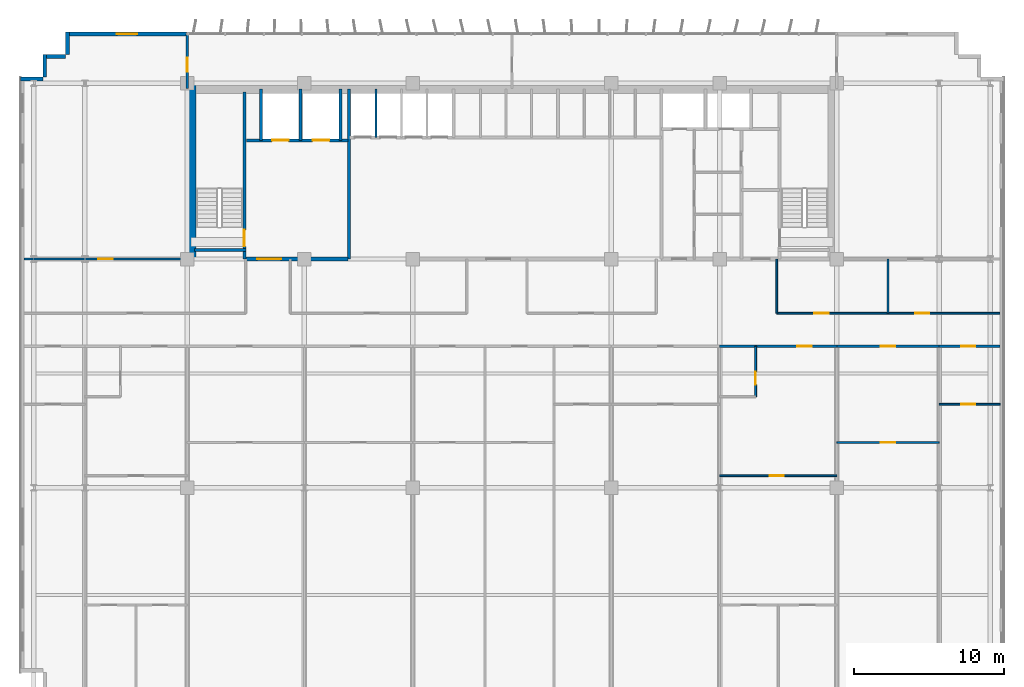
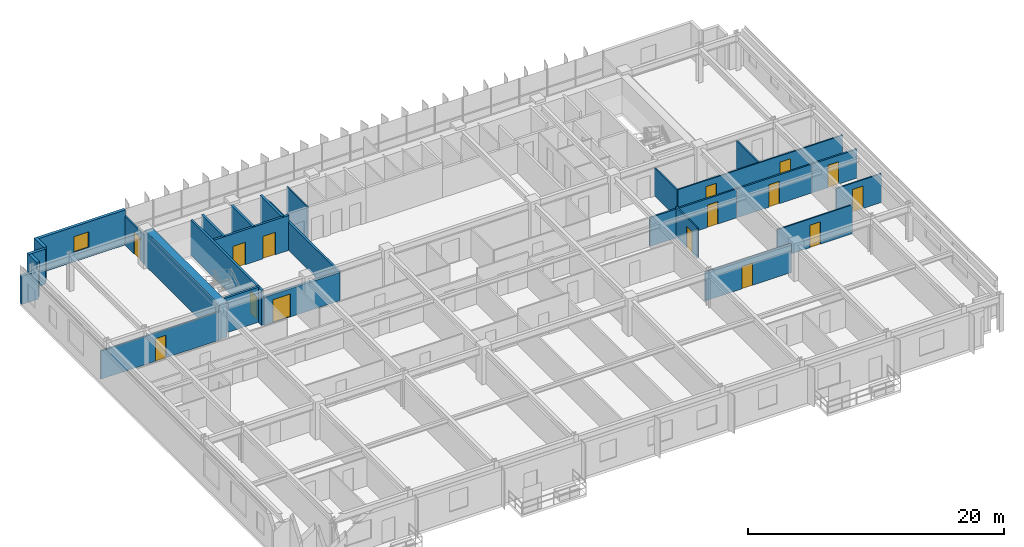
# One storey, part 17 of 22: 27 walls, 15 doors, 1 window, 16 openings.
"""IFC4 building model written with IfcOpenShell, lengths in metres."""

import ifcopenshell
import ifcopenshell.guid

model = None  # the IFC model being written
_history = None  # IfcOwnerHistory: only IFC2X3 demands one
_inside = {}  # id of a spatial element -> (the spatial element, [elements in it])
_under = {}  # id of a project, library or spatial element -> (it, [spatial elements below it])
_declared = {}  # id of a project -> (the project, [libraries it declares])
_typed = {}  # id of a type object -> (the type object, [elements of that type])
_made_of = {}  # id of a material, layer set ... -> (it, [elements and type objects made of it])


def new_model(schema):
    """Start an empty IFC model of exactly this schema.

    Asked for "IFC4X3", IfcOpenShell would pick the latest addendum, in which some entities
    have other attributes; the version numbers below select the first issue.
    IFC2X3 requires an IfcOwnerHistory on every rooted entity: one is made here for all.
    """
    global model, _history
    if schema == "IFC4X3":
        model = ifcopenshell.file(schema_version=(4, 3, 0, 0))
    else:
        model = ifcopenshell.file(schema=schema)
    _inside.clear()
    _under.clear()
    _declared.clear()
    _typed.clear()
    _made_of.clear()
    _history = None
    if model.schema == "IFC2X3":
        org = make("IfcOrganization", Name="unknown")
        user = make(
            "IfcPersonAndOrganization",
            ThePerson=make("IfcPerson", FamilyName="unknown"),
            TheOrganization=org,
        )
        app = make(
            "IfcApplication",
            ApplicationDeveloper=org,
            Version="unknown",
            ApplicationFullName="unknown",
            ApplicationIdentifier="unknown",
        )
        _history = make(
            "IfcOwnerHistory",
            OwningUser=user,
            OwningApplication=app,
            ChangeAction="ADDED",
            CreationDate=0,
        )
    return model


def make(cls, **values):
    """One entity of the class cls with the attributes given. An attribute that is None is left unset."""
    return model.create_entity(
        cls, **{name: value for name, value in values.items() if value is not None}
    )


def rooted(cls, **values):
    """An entity with a GlobalId (a new one), such as an element, a storey or a relation."""
    return make(cls, GlobalId=ifcopenshell.guid.new(), OwnerHistory=_history, **values)


def si_unit(unit_type, name, prefix=None):
    """IfcSIUnit, for example si_unit("LENGTHUNIT", "METRE", prefix="MILLI")."""
    return make("IfcSIUnit", UnitType=unit_type, Prefix=prefix, Name=name)


def assignment(units):
    """IfcUnitAssignment: the units of a project."""
    return None if units is None else make("IfcUnitAssignment", Units=units)


def point(xyz):
    """IfcCartesianPoint."""
    return None if xyz is None else make("IfcCartesianPoint", Coordinates=xyz)


def direction(xyz):
    """IfcDirection."""
    return None if xyz is None else make("IfcDirection", DirectionRatios=xyz)


def frame(location, z_axis=None, x_axis=None):
    """IfcAxis2Placement3D, a coordinate frame: its origin and axes. An axis left out is left unset."""
    return make(
        "IfcAxis2Placement3D",
        Location=point(location),
        Axis=direction(z_axis),
        RefDirection=direction(x_axis),
    )


def frame_2d(location, x_axis=None):
    """IfcAxis2Placement2D, a coordinate frame in the plane: its origin and x axis."""
    return make(
        "IfcAxis2Placement2D", Location=point(location), RefDirection=direction(x_axis)
    )


def origin():
    """The frame at (0, 0, 0) with its axes left unset."""
    return frame((0.0, 0.0, 0.0))


def place(relative_to, where):
    """IfcLocalPlacement: puts the frame where relative to a parent placement (None: the world)."""
    return make(
        "IfcLocalPlacement", PlacementRelTo=relative_to, RelativePlacement=where
    )


def context(
    kind, dimensions, precision=None, world=None, true_north=None, identifier=None
):
    """IfcGeometricRepresentationContext, for example the 3D "Model" context."""
    return make(
        "IfcGeometricRepresentationContext",
        ContextIdentifier=identifier,
        ContextType=kind,
        CoordinateSpaceDimension=dimensions,
        Precision=precision,
        WorldCoordinateSystem=world,
        TrueNorth=true_north,
    )


def subcontext(parent, identifier, kind, view, scale=None):
    """IfcGeometricRepresentationSubContext, for example "Body" below "Model"."""
    return make(
        "IfcGeometricRepresentationSubContext",
        ContextIdentifier=identifier,
        ContextType=kind,
        ParentContext=parent,
        TargetScale=scale,
        TargetView=view,
    )


def project(units=None, contexts=None):
    """IfcProject with its units and contexts."""
    return rooted(
        "IfcProject",
        Name="project",
        RepresentationContexts=contexts,
        UnitsInContext=assignment(units),
    )


def spatial(cls, under=None, at=None, **own):
    """A site, building, storey or space (cls), placed at a placement, below another one or the project."""
    s = rooted(cls, ObjectPlacement=at, **own)
    if under is not None:
        _under.setdefault(under.id(), (under, []))[1].append(s)
    return s


def profile(cls, at=None, kind="AREA", **sizes):
    """A parametric profile (cls). Its sizes go by their IFC names, for example OverallWidth=200.0."""
    return make(cls, ProfileType=kind, Position=at, **sizes)


def rectangle(**sizes):
    """IfcRectangleProfileDef."""
    return profile("IfcRectangleProfileDef", **sizes)


def extrude(swept, where, along, depth):
    """IfcExtrudedAreaSolid: the profile swept, set in the frame where, extruded along a direction by depth."""
    return make(
        "IfcExtrudedAreaSolid",
        SweptArea=swept,
        Position=where,
        ExtrudedDirection=direction(along),
        Depth=depth,
    )


def shape(context_of_items, identifier, shape_type, items):
    """IfcShapeRepresentation: the items that make up one representation, for example the "Body"."""
    return make(
        "IfcShapeRepresentation",
        ContextOfItems=context_of_items,
        RepresentationIdentifier=identifier,
        RepresentationType=shape_type,
        Items=items,
    )


def source(mapping_origin, context_of_items, identifier, shape_type, items):
    """IfcRepresentationMap: a shape defined once, which mapped items show again and again."""
    return make(
        "IfcRepresentationMap",
        MappingOrigin=mapping_origin,
        MappedRepresentation=shape(context_of_items, identifier, shape_type, items),
    )


def transform(
    local_origin,
    x_axis=None,
    y_axis=None,
    z_axis=None,
    scale=None,
    scale2=None,
    scale3=None,
    uniform=True,
):
    """IfcCartesianTransformationOperator3D, or its non-uniform kind. x_axis, y_axis, z_axis: its Axis1, 2, 3."""
    if uniform:
        return make(
            "IfcCartesianTransformationOperator3D",
            Axis1=direction(x_axis),
            Axis2=direction(y_axis),
            LocalOrigin=point(local_origin),
            Scale=scale,
            Axis3=direction(z_axis),
        )
    return make(
        "IfcCartesianTransformationOperator3DnonUniform",
        Axis1=direction(x_axis),
        Axis2=direction(y_axis),
        LocalOrigin=point(local_origin),
        Scale=scale,
        Axis3=direction(z_axis),
        Scale2=scale2,
        Scale3=scale3,
    )


def mapped(mapping_source, mapping_target):
    """IfcMappedItem: shows the shape of a source again, moved by a transform."""
    return make(
        "IfcMappedItem", MappingSource=mapping_source, MappingTarget=mapping_target
    )


def material(Name=None, Category=None):
    """IfcMaterial."""
    return make("IfcMaterial", Name=Name, Category=Category)


def layer(
    of_material, thickness, ventilated=None, Name=None, Category=None, Priority=None
):
    """IfcMaterialLayer: one layer of a wall or slab, of a material (None: an air gap)."""
    return make(
        "IfcMaterialLayer",
        Material=of_material,
        LayerThickness=thickness,
        IsVentilated=ventilated,
        Name=Name,
        Category=Category,
        Priority=Priority,
    )


def layer_set(layers, Name=None):
    """IfcMaterialLayerSet."""
    return make("IfcMaterialLayerSet", MaterialLayers=layers, LayerSetName=Name)


def made_of(thing, what):
    """Note that an element or type object is made of a material, layer set ...; save() writes the relation."""
    if what is not None:
        _made_of.setdefault(what.id(), (what, []))[1].append(thing)
    return thing


def type_object(cls, material=None, **own):
    """A type object (cls), such as IfcWallType, which elements share."""
    return made_of(rooted(cls, **own), material)


def element(
    cls,
    number,
    at=None,
    inside=None,
    cuts=None,
    type_object=None,
    material=None,
    context=None,
    identifier="Body",
    shape_type=None,
    held_by="IfcProductDefinitionShape",
    body=None,
    shapes=None,
    **own,
):
    """One element of the class cls, such as IfcWall. Its Tag is "e" and its number.

    at: its placement. inside: the storey or other place that contains it. cuts: it is an
    opening in that element (IfcRelVoidsElement). A single representation is given by context,
    identifier, shape_type and body (its items); several are given by shapes. held_by: the class
    of the entity that holds the representations. save() writes the other relations.
    """
    e = rooted(cls, Tag="e%d" % number, ObjectPlacement=at, **own)
    if body is not None:
        shapes = [shape(context, identifier, shape_type, body)]
    if shapes is not None:
        e.Representation = make(held_by, Representations=shapes)
    if inside is not None:
        _inside.setdefault(inside.id(), (inside, []))[1].append(e)
    if cuts is not None:
        rooted(
            "IfcRelVoidsElement", RelatingBuildingElement=cuts, RelatedOpeningElement=e
        )
    if type_object is not None:
        _typed.setdefault(type_object.id(), (type_object, []))[1].append(e)
    return made_of(e, material)


def fill(opening, filler):
    """IfcRelFillsElement: the door or window that sits in an opening."""
    return rooted(
        "IfcRelFillsElement",
        RelatingOpeningElement=opening,
        RelatedBuildingElement=filler,
    )


def aggregate(whole, parts):
    """IfcRelAggregates: a whole, such as a stair, and the parts it consists of."""
    return rooted("IfcRelAggregates", RelatingObject=whole, RelatedObjects=parts)


def save(model, path):
    """Write the relations noted so far, then the file.

    IfcRelAggregates (storeys below a building ...), IfcRelContainedInSpatialStructure (elements
    in a storey), IfcRelDefinesByType, IfcRelAssociatesMaterial and IfcRelDeclares: one each for
    every whole, place, type object, material and project.
    """
    for whole, parts in _under.values():
        aggregate(whole, parts)
    for where, things in _inside.values():
        rooted(
            "IfcRelContainedInSpatialStructure",
            RelatedElements=things,
            RelatingStructure=where,
        )
    for kind, things in _typed.values():
        rooted("IfcRelDefinesByType", RelatedObjects=things, RelatingType=kind)
    for what, things in _made_of.values():
        rooted("IfcRelAssociatesMaterial", RelatedObjects=things, RelatingMaterial=what)
    for by, libraries in _declared.values():
        rooted("IfcRelDeclares", RelatingContext=by, RelatedDefinitions=libraries)
    model.write(path)


model = new_model("IFC4")

# Units and contexts
model_context = context("Model", 3, precision=1e-05, world=origin(), true_north=direction((0.0, 1.0)))
body_context = subcontext(model_context, "Body", "Model", "MODEL_VIEW")
ifc_project = project(units=[si_unit("LENGTHUNIT", "METRE"), si_unit("AREAUNIT", "SQUARE_METRE"), si_unit("VOLUMEUNIT", "CUBIC_METRE"), si_unit("PLANEANGLEUNIT", "RADIAN"), si_unit("MASSUNIT", "GRAM", prefix="KILO")], contexts=[model_context])

# Site, building, storey
site_placement = place(None, origin())
site = spatial("IfcSite", under=ifc_project, at=site_placement, CompositionType="ELEMENT")
building_placement = place(site_placement, origin())
building = spatial("IfcBuilding", under=site, at=building_placement, Name="Trelvane Seafront Commons", CompositionType="ELEMENT")
storey_placement = place(building_placement, frame((0.0, 0.0, 59.5)))
storey = spatial("IfcBuildingStorey", under=building, at=storey_placement, Name="L15", CompositionType="ELEMENT", Elevation=59.5)

# Wall, opening, window
ifc_material_1 = material(Name="Precast concrete C40/50", Category="concrete")
ifc_layer_1 = layer(ifc_material_1, 0.260009765625, Name="ARCH-WALL-EXT260")
ifc_layer_set_1 = layer_set([ifc_layer_1], Name="Precast concrete C40/50")
wall_type_1 = type_object("IfcWallType", Name="ARCH-WALL-EXT260", PredefinedType="SOLIDWALL", material=ifc_layer_set_1)
wall_1_placement = place(storey_placement, frame((7.60009765625, 48.3701171875, 0.0), z_axis=(0.0, 0.0, 1.0), x_axis=(1.0, 0.0, 0.0)))
wall_1 = element("IfcWall", 1, at=wall_1_placement, inside=storey, type_object=wall_type_1, Name="EW-L15-NW-0255", PredefinedType="SOLIDWALL", context=body_context, shape_type="SweptSolid", body=[
    extrude(rectangle(XDim=8.0, YDim=0.260009765625, at=frame_2d((4.0, 0.0))), origin(), (0.0, 0.0, 1.0), 3.340087890625),
])
opening_1_placement = place(wall_1_placement, frame((3.324951171875, 0.0, 0.89990234375)))
opening_1 = element("IfcOpeningElement", 2, at=opening_1_placement, cuts=wall_1, Name="Opening W09", PredefinedType="OPENING", context=body_context, shape_type="SweptSolid", body=[
    extrude(rectangle(XDim=1.35009765625, YDim=1.5, at=frame_2d((0.675048828125, 0.75))), frame((0.0, 0.139892578125, 0.0), z_axis=(0.0, -1.0, 0.0), x_axis=(1.0, 0.0, 0.0)), (0.0, 0.0, 1.0), 0.280029296875),
])
ifc_material_2 = material(Name="Low-E coastal double glazing", Category="glass")
window_type = type_object("IfcWindowType", Name="ARCH-WIN-W09", PartitioningType="SINGLE_PANEL", PredefinedType="WINDOW", material=ifc_material_2)
shared_shape_1 = source(origin(), body_context, "Body", "SweptSolid", [
    extrude(rectangle(XDim=1.35009765625, YDim=1.5, at=frame_2d((0.675048828125, 0.75))), frame((0.0, 0.030029296875, 0.0), z_axis=(0.0, -1.0, 0.0), x_axis=(1.0, 0.0, 0.0)), (0.0, 0.0, 1.0), 0.06005859375),
])
window_placement = place(opening_1_placement, origin())
window = element("IfcWindow", 3, at=window_placement, inside=storey, type_object=window_type, Name="WIN-L15-00310", OverallHeight=1.5, OverallWidth=1.35009765625, PartitioningType="SINGLE_PANEL", PredefinedType="WINDOW", context=body_context, shape_type="MappedRepresentation", body=[
    mapped(shared_shape_1, transform((0.0, 0.0, 0.0), x_axis=(1.0, 0.0, 0.0), y_axis=(0.0, 1.0, 0.0), z_axis=(0.0, 0.0, 1.0), scale=1.0)),
])
fill(opening_1, window)

# Walls
wall_2_placement = place(storey_placement, frame((4.5, 45.3701171875, 0.0), z_axis=(0.0, 0.0, 1.0), x_axis=(1.0, 0.0, 0.0)))
element("IfcWall", 4, at=wall_2_placement, inside=storey, type_object=wall_type_1, Name="EW-L15-00261", PredefinedType="SOLIDWALL", context=body_context, shape_type="SweptSolid", body=[
    extrude(rectangle(XDim=1.5, YDim=0.260009765625, at=frame_2d((0.75, 0.0))), origin(), (0.0, 0.0, 1.0), 2.68994140625),
])
for number, where, z_axis, x_axis, name in (
    (5, (6.1298828125, 45.5, 0.0), (0.0, 0.0, 1.0), (0.0, 1.0, 0.0), "EW-L15-00262"),
    (6, (6.0, 46.8701171875, 0.0), (0.0, 0.0, 1.0), (1.0, 0.0, 0.0), "EW-L15-00263"),
    (7, (7.6298828125, 47.0, 0.0), (0.0, 0.0, 1.0), (0.0, 1.0, 0.0), "EW-L15-00264"),
):
    element("IfcWall", number, at=place(storey_placement, frame(where, z_axis=z_axis, x_axis=x_axis)), inside=storey, type_object=wall_type_1, Name=name, PredefinedType="SOLIDWALL", context=body_context, shape_type="SweptSolid", body=[
        extrude(rectangle(XDim=1.5, YDim=0.260009765625, at=frame_2d((0.75, 0.0))), origin(), (0.0, 0.0, 1.0), 3.340087890625),
    ])

# Wall, opening, door
ifc_material_3 = material(Name="Concrete C40/50", Category="concrete")
ifc_layer_2 = layer(ifc_material_3, 0.25, Name="ARCH-WALL-FIRE250")
ifc_layer_set_2 = layer_set([ifc_layer_2], Name="Concrete C40/50")
wall_type_2 = type_object("IfcWallType", Name="ARCH-WALL-FIRE250", PredefinedType="PARTITIONING", material=ifc_layer_set_2)
wall_3_placement = place(storey_placement, frame((19.5, 33.39990234375, 0.0), z_axis=(0.0, 0.0, 1.0), x_axis=(1.0, 0.0, 0.0)))
wall_3 = element("IfcWall", 8, at=wall_3_placement, inside=storey, type_object=wall_type_2, Name="W-L15-CS-FFL-013", PredefinedType="PARTITIONING", context=body_context, shape_type="SweptSolid", body=[
    extrude(rectangle(XDim=6.800048828125, YDim=0.25, at=frame_2d((3.39990234375, 0.0))), origin(), (0.0, 0.0, 1.0), 2.68994140625),
])
opening_2_placement = place(wall_3_placement, frame((0.75, 0.0, 0.0)))
opening_2 = element("IfcOpeningElement", 9, at=opening_2_placement, cuts=wall_3, Name="Opening FD-L15-05", PredefinedType="OPENING", context=body_context, shape_type="SweptSolid", body=[
    extrude(rectangle(XDim=1.60009765625, YDim=2.199951171875, at=frame_2d((0.800048828125, 1.10009765625))), frame((0.0, 0.135009765625, 0.0), z_axis=(0.0, -1.0, 0.0), x_axis=(1.0, 0.0, 0.0)), (0.0, 0.0, 1.0), 0.27001953125),
])
ifc_material_4 = material(Name="Powder-coated aluminium frame", Category="aluminium")
door_type_1 = type_object("IfcDoorType", Name="ARCH-DR-FD60-1600", OperationType="DOUBLE_DOOR_SINGLE_SWING", PredefinedType="DOOR", material=ifc_material_4)
shared_shape_2 = source(origin(), body_context, "Body", "SweptSolid", [
    extrude(rectangle(XDim=1.60009765625, YDim=2.199951171875, at=frame_2d((0.800048828125, 1.10009765625))), frame((0.0, 0.02490234375, 0.0), z_axis=(0.0, -1.0, 0.0), x_axis=(1.0, 0.0, 0.0)), (0.0, 0.0, 1.0), 0.050048828125),
])
door_1_placement = place(opening_2_placement, origin())
door_1 = element("IfcDoor", 10, at=door_1_placement, inside=storey, type_object=door_type_1, Name="L15 Firefighting Lift Lobby Double Fire Door", OperationType="DOUBLE_DOOR_SINGLE_SWING", OverallHeight=2.199951171875, OverallWidth=1.60009765625, PredefinedType="DOOR", context=body_context, shape_type="MappedRepresentation", body=[
    mapped(shared_shape_2, transform((0.0, 0.0, 0.0), x_axis=(1.0, 0.0, 0.0), y_axis=(0.0, 1.0, 0.0), z_axis=(0.0, 0.0, 1.0), scale=1.0)),
])
fill(opening_2, door_1)

# Wall
ifc_material_5 = material(Name="Gypsum Drywall Acoustic Partition")
ifc_layer_3 = layer(ifc_material_5, 0.1201171875, Name="ARCH-WALL-PART120")
ifc_layer_set_3 = layer_set([ifc_layer_3], Name="Gypsum Drywall Acoustic Partition")
wall_type_3 = type_object("IfcWallType", Name="ARCH-WALL-PART120", PredefinedType="PARTITIONING", material=ifc_layer_set_3)
wall_4_placement = place(storey_placement, frame((28.14990234375, 41.5, 0.0), z_axis=(0.0, 0.0, 1.0), x_axis=(0.0, 1.0, 0.0)))
element("IfcWall", 11, at=wall_4_placement, inside=storey, type_object=wall_type_3, Name="W-L15-PL-DIV1-016", PredefinedType="PARTITIONING", context=body_context, shape_type="SweptSolid", body=[
    extrude(rectangle(XDim=3.199951171875, YDim=0.1201171875, at=frame_2d((1.60009765625, 0.0))), origin(), (0.0, 0.0, 1.0), 3.340087890625),
])

# Wall, openings, doors
wall_5_placement = place(storey_placement, frame((54.800048828125, 29.800048828125, 0.0), z_axis=(0.0, 0.0, 1.0), x_axis=(1.0, 0.0, 0.0)))
wall_5 = element("IfcWall", 12, at=wall_5_placement, inside=storey, type_object=wall_type_3, Name="W-L15-CORR-N-E-042", PredefinedType="PARTITIONING", context=body_context, shape_type="SweptSolid", body=[
    extrude(rectangle(XDim=14.849853515625, YDim=0.1201171875, at=frame_2d((7.4248046875, 0.0))), origin(), (0.0, 0.0, 1.0), 2.751953125),
])
opening_3_placement = place(wall_5_placement, frame((2.5, 0.0, 0.0)))
opening_3 = element("IfcOpeningElement", 13, at=opening_3_placement, cuts=wall_5, Name="Opening D-L15-22", PredefinedType="OPENING", context=body_context, shape_type="SweptSolid", body=[
    extrude(rectangle(XDim=0.949951171875, YDim=2.14990234375, at=frame_2d((0.47509765625, 1.074951171875))), frame((0.0, 0.070068359375, 0.0), z_axis=(0.0, -1.0, 0.0), x_axis=(1.0, 0.0, 0.0)), (0.0, 0.0, 1.0), 0.14013671875),
])
opening_4_placement = place(wall_5_placement, frame((9.199951171875, 0.0, 0.0)))
opening_4 = element("IfcOpeningElement", 14, at=opening_4_placement, cuts=wall_5, Name="Opening D-L15-23", PredefinedType="OPENING", context=body_context, shape_type="SweptSolid", body=[
    extrude(rectangle(XDim=0.949951171875, YDim=2.14990234375, at=frame_2d((0.47509765625, 1.074951171875))), frame((0.0, 0.070068359375, 0.0), z_axis=(0.0, -1.0, 0.0), x_axis=(1.0, 0.0, 0.0)), (0.0, 0.0, 1.0), 0.14013671875),
])
ifc_material_6 = material(Name="Acoustic timber door leaf", Category="wood")
door_type_2 = type_object("IfcDoorType", Name="ARCH-DR-INT950", OperationType="NOTDEFINED", PredefinedType="DOOR", material=ifc_material_6)
shared_shape_3 = source(origin(), body_context, "Body", "SweptSolid", [
    extrude(rectangle(XDim=0.949951171875, YDim=2.14990234375, at=frame_2d((0.47509765625, 1.074951171875))), frame((0.0, 0.02490234375, 0.0), z_axis=(0.0, -1.0, 0.0), x_axis=(1.0, 0.0, 0.0)), (0.0, 0.0, 1.0), 0.050048828125),
])
door_2_placement = place(opening_3_placement, origin())
door_2 = element("IfcDoor", 15, at=door_2_placement, inside=storey, type_object=door_type_2, Name="L15 Door 22", OperationType="SINGLE_SWING_RIGHT", OverallHeight=2.14990234375, OverallWidth=0.949951171875, PredefinedType="DOOR", context=body_context, shape_type="MappedRepresentation", body=[
    mapped(shared_shape_3, transform((0.0, 0.0, 0.0), x_axis=(1.0, 0.0, 0.0), y_axis=(0.0, 1.0, 0.0), z_axis=(0.0, 0.0, 1.0), scale=1.0)),
])
fill(opening_3, door_2)
door_3_placement = place(opening_4_placement, origin())
door_3 = element("IfcDoor", 16, at=door_3_placement, inside=storey, type_object=door_type_2, Name="L15 Door 23", OperationType="SINGLE_SWING_LEFT", OverallHeight=2.14990234375, OverallWidth=0.949951171875, PredefinedType="DOOR", context=body_context, shape_type="MappedRepresentation", body=[
    mapped(shared_shape_3, transform((0.0, 0.0, 0.0), x_axis=(1.0, 0.0, 0.0), y_axis=(0.0, 1.0, 0.0), z_axis=(0.0, 0.0, 1.0), scale=1.0)),
])
fill(opening_4, door_3)

# Walls
for number, where, z_axis, x_axis, name in (
    (17, (62.199951171875, 29.800048828125, 0.0), (0.0, 0.0, 1.0), (0.0, 1.0, 0.0), "W-L15-N-LAUN-DV-043"),
    (18, (54.800048828125, 29.800048828125, 0.0), (0.0, 0.0, 1.0), (0.0, 1.0, 0.0), "W-L15-N-SPUR-E2-049"),
):
    element("IfcWall", number, at=place(storey_placement, frame(where, z_axis=z_axis, x_axis=x_axis)), inside=storey, type_object=wall_type_3, Name=name, PredefinedType="PARTITIONING", context=body_context, shape_type="SweptSolid", body=[
        extrude(rectangle(XDim=3.599853515625, YDim=0.1201171875, at=frame_2d((1.7998046875, 0.0))), origin(), (0.0, 0.0, 1.0), 2.68994140625),
    ])

# Wall, opening, door
wall_6_placement = place(storey_placement, frame((51.0, 19.0, 0.0), z_axis=(0.0, 0.0, 1.0), x_axis=(1.0, 0.0, 0.0)))
wall_6 = element("IfcWall", 19, at=wall_6_placement, inside=storey, type_object=wall_type_3, Name="W-L15-U9-KL-086", PredefinedType="PARTITIONING", context=body_context, shape_type="SweptSolid", body=[
    extrude(rectangle(XDim=7.800048828125, YDim=0.1201171875, at=frame_2d((3.89990234375, 0.0))), origin(), (0.0, 0.0, 1.0), 2.751953125),
])
opening_5_placement = place(wall_6_placement, frame((3.3330078125, 0.0, 0.0)))
opening_5 = element("IfcOpeningElement", 20, at=opening_5_placement, cuts=wall_6, Name="Opening D-L15-48", PredefinedType="OPENING", context=body_context, shape_type="SweptSolid", body=[
    extrude(rectangle(XDim=0.949951171875, YDim=2.14990234375, at=frame_2d((0.47509765625, 1.074951171875))), frame((0.0, 0.070068359375, 0.0), z_axis=(0.0, -1.0, 0.0), x_axis=(1.0, 0.0, 0.0)), (0.0, 0.0, 1.0), 0.14013671875),
])
door_4_placement = place(opening_5_placement, origin())
door_4 = element("IfcDoor", 21, at=door_4_placement, inside=storey, type_object=door_type_2, Name="L15 Door 48", OperationType="SINGLE_SWING_RIGHT", OverallHeight=2.14990234375, OverallWidth=0.949951171875, PredefinedType="DOOR", context=body_context, shape_type="MappedRepresentation", body=[
    mapped(shared_shape_3, transform((0.0, 0.0, 0.0), x_axis=(1.0, 0.0, 0.0), y_axis=(0.0, 1.0, 0.0), z_axis=(0.0, 0.0, 1.0), scale=1.0)),
])
fill(opening_5, door_4)

wall_7_placement = place(storey_placement, frame((53.39990234375, 24.25, 0.0), z_axis=(0.0, 0.0, 1.0), x_axis=(0.0, 1.0, 0.0)))
wall_7 = element("IfcWall", 22, at=wall_7_placement, inside=storey, type_object=wall_type_3, Name="W-L15-U9-BE-087", PredefinedType="PARTITIONING", context=body_context, shape_type="SweptSolid", body=[
    extrude(rectangle(XDim=3.35009765625, YDim=0.1201171875, at=frame_2d((1.675048828125, 0.0))), origin(), (0.0, 0.0, 1.0), 2.93994140625),
])
opening_6_placement = place(wall_7_placement, frame((0.800048828125, 0.0, 0.0)))
opening_6 = element("IfcOpeningElement", 23, at=opening_6_placement, cuts=wall_7, Name="Opening D-L15-49", PredefinedType="OPENING", context=body_context, shape_type="SweptSolid", body=[
    extrude(rectangle(XDim=0.85009765625, YDim=2.10009765625, at=frame_2d((0.425048828125, 1.050048828125))), frame((0.0, 0.070068359375, 0.0), z_axis=(0.0, -1.0, 0.0), x_axis=(1.0, 0.0, 0.0)), (0.0, 0.0, 1.0), 0.14013671875),
])
door_type_3 = type_object("IfcDoorType", Name="ARCH-DR-INT850", OperationType="NOTDEFINED", PredefinedType="DOOR", material=ifc_material_6)
shared_shape_4 = source(origin(), body_context, "Body", "SweptSolid", [
    extrude(rectangle(XDim=0.85009765625, YDim=2.10009765625, at=frame_2d((0.425048828125, 1.050048828125))), frame((0.0, 0.02490234375, 0.0), z_axis=(0.0, -1.0, 0.0), x_axis=(1.0, 0.0, 0.0)), (0.0, 0.0, 1.0), 0.050048828125),
])
door_5_placement = place(opening_6_placement, origin())
door_5 = element("IfcDoor", 24, at=door_5_placement, inside=storey, type_object=door_type_3, Name="L15 Door 49", OperationType="SINGLE_SWING_LEFT", OverallHeight=2.10009765625, OverallWidth=0.85009765625, PredefinedType="DOOR", context=body_context, shape_type="MappedRepresentation", body=[
    mapped(shared_shape_4, transform((0.0, 0.0, 0.0), x_axis=(1.0, 0.0, 0.0), y_axis=(0.0, 1.0, 0.0), z_axis=(0.0, 0.0, 1.0), scale=1.0)),
])
fill(opening_6, door_5)

wall_8_placement = place(storey_placement, frame((58.800048828125, 21.199951171875, 0.0), z_axis=(0.0, 0.0, 1.0), x_axis=(1.0, 0.0, 0.0)))
wall_8 = element("IfcWall", 25, at=wall_8_placement, inside=storey, type_object=wall_type_3, Name="W-L15-U10-DIV-094", PredefinedType="PARTITIONING", context=body_context, shape_type="SweptSolid", body=[
    extrude(rectangle(XDim=6.800048828125, YDim=0.1201171875, at=frame_2d((3.39990234375, 0.0))), origin(), (0.0, 0.0, 1.0), 2.751953125),
])
opening_7_placement = place(wall_8_placement, frame((2.925048828125, 0.0, 0.0)))
opening_7 = element("IfcOpeningElement", 26, at=opening_7_placement, cuts=wall_8, Name="Opening D-L15-54", PredefinedType="OPENING", context=body_context, shape_type="SweptSolid", body=[
    extrude(rectangle(XDim=0.949951171875, YDim=2.14990234375, at=frame_2d((0.47509765625, 1.074951171875))), frame((0.0, 0.070068359375, 0.0), z_axis=(0.0, -1.0, 0.0), x_axis=(1.0, 0.0, 0.0)), (0.0, 0.0, 1.0), 0.14013671875),
])
door_6_placement = place(opening_7_placement, origin())
door_6 = element("IfcDoor", 27, at=door_6_placement, inside=storey, type_object=door_type_2, Name="L15 Door 54", OperationType="SINGLE_SWING_RIGHT", OverallHeight=2.14990234375, OverallWidth=0.949951171875, PredefinedType="DOOR", context=body_context, shape_type="MappedRepresentation", body=[
    mapped(shared_shape_3, transform((0.0, 0.0, 0.0), x_axis=(1.0, 0.0, 0.0), y_axis=(0.0, 1.0, 0.0), z_axis=(0.0, 0.0, 1.0), scale=1.0)),
])
fill(opening_7, door_6)

wall_9_placement = place(storey_placement, frame((65.60009765625, 23.75, 0.0), z_axis=(0.0, 0.0, 1.0), x_axis=(1.0, 0.0, 0.0)))
wall_9 = element("IfcWall", 28, at=wall_9_placement, inside=storey, type_object=wall_type_3, Name="W-L15-U11-DIV-096", PredefinedType="PARTITIONING", context=body_context, shape_type="SweptSolid", body=[
    extrude(rectangle(XDim=4.054931640625, YDim=0.1201171875, at=frame_2d((2.02734375, 0.0))), origin(), (0.0, 0.0, 1.0), 2.751953125),
])
opening_8_placement = place(wall_9_placement, frame((1.4619140625, 0.0, 0.0)))
opening_8 = element("IfcOpeningElement", 29, at=opening_8_placement, cuts=wall_9, Name="Opening D-L15-56", PredefinedType="OPENING", context=body_context, shape_type="SweptSolid", body=[
    extrude(rectangle(XDim=0.949951171875, YDim=2.14990234375, at=frame_2d((0.47509765625, 1.074951171875))), frame((0.0, 0.070068359375, 0.0), z_axis=(0.0, -1.0, 0.0), x_axis=(1.0, 0.0, 0.0)), (0.0, 0.0, 1.0), 0.14013671875),
])
door_7_placement = place(opening_8_placement, origin())
door_7 = element("IfcDoor", 30, at=door_7_placement, inside=storey, type_object=door_type_2, Name="L15 Door 56", OperationType="SINGLE_SWING_RIGHT", OverallHeight=2.14990234375, OverallWidth=0.949951171875, PredefinedType="DOOR", context=body_context, shape_type="MappedRepresentation", body=[
    mapped(shared_shape_3, transform((0.0, 0.0, 0.0), x_axis=(1.0, 0.0, 0.0), y_axis=(0.0, 1.0, 0.0), z_axis=(0.0, 0.0, 1.0), scale=1.0)),
])
fill(opening_8, door_7)

ifc_layer_4 = layer(ifc_material_5, 0.14990234375, Name="ARCH-WALL-PART150")
ifc_layer_set_4 = layer_set([ifc_layer_4], Name="Gypsum Drywall Acoustic Partition")
wall_type_4 = type_object("IfcWallType", Name="ARCH-WALL-PART150", PredefinedType="PARTITIONING", material=ifc_layer_set_4)
wall_10_placement = place(storey_placement, frame((4.75, 33.39990234375, 0.0), z_axis=(0.0, 0.0, 1.0), x_axis=(1.0, 0.0, 0.0)))
wall_10 = element("IfcWall", 31, at=wall_10_placement, inside=storey, type_object=wall_type_4, Name="W-L15-NW-ENT-050", PredefinedType="PARTITIONING", context=body_context, shape_type="SweptSolid", body=[
    extrude(rectangle(XDim=10.85009765625, YDim=0.14990234375, at=frame_2d((5.425048828125, 0.0))), origin(), (0.0, 0.0, 1.0), 2.68994140625),
])
opening_9_placement = place(wall_10_placement, frame((4.93994140625, 0.0, 0.0)))
opening_9 = element("IfcOpeningElement", 32, at=opening_9_placement, cuts=wall_10, Name="Opening FD-L15-24", PredefinedType="OPENING", context=body_context, shape_type="SweptSolid", body=[
    extrude(rectangle(XDim=0.949951171875, YDim=2.14990234375, at=frame_2d((0.47509765625, 1.074951171875))), frame((0.0, 0.0849609375, 0.0), z_axis=(0.0, -1.0, 0.0), x_axis=(1.0, 0.0, 0.0)), (0.0, 0.0, 1.0), 0.169921875),
])
door_type_4 = type_object("IfcDoorType", Name="ARCH-DR-FD60-950", OperationType="NOTDEFINED", PredefinedType="DOOR", material=ifc_material_4)
door_8_placement = place(opening_9_placement, origin())
door_8 = element("IfcDoor", 33, at=door_8_placement, inside=storey, type_object=door_type_4, Name="L15 NW Suite Entrance Door", OperationType="SINGLE_SWING_RIGHT", OverallHeight=2.14990234375, OverallWidth=0.949951171875, PredefinedType="DOOR", context=body_context, shape_type="MappedRepresentation", body=[
    mapped(shared_shape_3, transform((0.0, 0.0, 0.0), x_axis=(1.0, 0.0, 0.0), y_axis=(0.0, 1.0, 0.0), z_axis=(0.0, 0.0, 1.0), scale=1.0)),
])
fill(opening_9, door_8)

wall_11_placement = place(storey_placement, frame((15.60009765625, 44.75, 0.0), z_axis=(0.0, 0.0, 1.0), x_axis=(0.0, 1.0, 0.0)))
wall_11 = element("IfcWall", 34, at=wall_11_placement, inside=storey, type_object=wall_type_4, Name="W-L15-N-LINK-W-053", PredefinedType="PARTITIONING", context=body_context, shape_type="SweptSolid", body=[
    extrude(rectangle(XDim=3.610107421875, YDim=0.14990234375, at=frame_2d((1.80517578125, 0.0))), origin(), (0.0, 0.0, 1.0), 2.751953125),
])
opening_10_placement = place(wall_11_placement, frame((1.10009765625, 0.0, 0.0)))
opening_10 = element("IfcOpeningElement", 35, at=opening_10_placement, cuts=wall_11, Name="Opening FD-L15-27", PredefinedType="OPENING", context=body_context, shape_type="SweptSolid", body=[
    extrude(rectangle(XDim=0.949951171875, YDim=2.14990234375, at=frame_2d((0.47509765625, 1.074951171875))), frame((0.0, 0.0849609375, 0.0), z_axis=(0.0, -1.0, 0.0), x_axis=(1.0, 0.0, 0.0)), (0.0, 0.0, 1.0), 0.169921875),
])
door_9_placement = place(opening_10_placement, origin())
door_9 = element("IfcDoor", 36, at=door_9_placement, inside=storey, type_object=door_type_4, Name="L15 Door 27", OperationType="SINGLE_SWING_LEFT", OverallHeight=2.14990234375, OverallWidth=0.949951171875, PredefinedType="DOOR", context=body_context, shape_type="MappedRepresentation", body=[
    mapped(shared_shape_3, transform((0.0, 0.0, 0.0), x_axis=(1.0, 0.0, 0.0), y_axis=(0.0, 1.0, 0.0), z_axis=(0.0, 0.0, 1.0), scale=1.0)),
])
fill(opening_10, door_9)

wall_12_placement = place(storey_placement, frame((51.0, 27.60009765625, 0.0), z_axis=(0.0, 0.0, 1.0), x_axis=(1.0, 0.0, 0.0)))
wall_12 = element("IfcWall", 37, at=wall_12_placement, inside=storey, type_object=wall_type_4, Name="W-L15-CS-BAY-9-089", PredefinedType="PARTITIONING", context=body_context, shape_type="SweptSolid", body=[
    extrude(rectangle(XDim=7.800048828125, YDim=0.14990234375, at=frame_2d((3.89990234375, 0.0))), origin(), (0.0, 0.0, 1.0), 2.751953125),
])
opening_11_placement = place(wall_12_placement, frame((5.172119140625, 0.0, 0.0)))
opening_11 = element("IfcOpeningElement", 38, at=opening_11_placement, cuts=wall_12, Name="Opening FD-L15-50", PredefinedType="OPENING", context=body_context, shape_type="SweptSolid", body=[
    extrude(rectangle(XDim=0.949951171875, YDim=2.14990234375, at=frame_2d((0.47509765625, 1.074951171875))), frame((0.0, 0.0849609375, 0.0), z_axis=(0.0, -1.0, 0.0), x_axis=(1.0, 0.0, 0.0)), (0.0, 0.0, 1.0), 0.169921875),
])
door_10_placement = place(opening_11_placement, origin())
door_10 = element("IfcDoor", 39, at=door_10_placement, inside=storey, type_object=door_type_4, Name="L15 Unit 09 Entrance Door", OperationType="SINGLE_SWING_RIGHT", OverallHeight=2.14990234375, OverallWidth=0.949951171875, PredefinedType="DOOR", context=body_context, shape_type="MappedRepresentation", body=[
    mapped(shared_shape_3, transform((0.0, 0.0, 0.0), x_axis=(1.0, 0.0, 0.0), y_axis=(0.0, 1.0, 0.0), z_axis=(0.0, 0.0, 1.0), scale=1.0)),
])
fill(opening_11, door_10)

wall_13_placement = place(storey_placement, frame((58.800048828125, 27.60009765625, 0.0), z_axis=(0.0, 0.0, 1.0), x_axis=(1.0, 0.0, 0.0)))
wall_13 = element("IfcWall", 40, at=wall_13_placement, inside=storey, type_object=wall_type_4, Name="W-L15-CS-BAY-10-093", PredefinedType="PARTITIONING", context=body_context, shape_type="SweptSolid", body=[
    extrude(rectangle(XDim=6.800048828125, YDim=0.14990234375, at=frame_2d((3.39990234375, 0.0))), origin(), (0.0, 0.0, 1.0), 2.751953125),
])
opening_12_placement = place(wall_13_placement, frame((2.925048828125, 0.0, 0.0)))
opening_12 = element("IfcOpeningElement", 41, at=opening_12_placement, cuts=wall_13, Name="Opening FD-L15-53", PredefinedType="OPENING", context=body_context, shape_type="SweptSolid", body=[
    extrude(rectangle(XDim=0.949951171875, YDim=2.14990234375, at=frame_2d((0.47509765625, 1.074951171875))), frame((0.0, 0.0849609375, 0.0), z_axis=(0.0, -1.0, 0.0), x_axis=(1.0, 0.0, 0.0)), (0.0, 0.0, 1.0), 0.169921875),
])
door_11_placement = place(opening_12_placement, origin())
door_11 = element("IfcDoor", 42, at=door_11_placement, inside=storey, type_object=door_type_4, Name="L15 Bay 10 Entrance Door", OperationType="SINGLE_SWING_LEFT", OverallHeight=2.14990234375, OverallWidth=0.949951171875, PredefinedType="DOOR", context=body_context, shape_type="MappedRepresentation", body=[
    mapped(shared_shape_3, transform((0.0, 0.0, 0.0), x_axis=(1.0, 0.0, 0.0), y_axis=(0.0, 1.0, 0.0), z_axis=(0.0, 0.0, 1.0), scale=1.0)),
])
fill(opening_12, door_11)

wall_14_placement = place(storey_placement, frame((65.60009765625, 27.60009765625, 0.0), z_axis=(0.0, 0.0, 1.0), x_axis=(1.0, 0.0, 0.0)))
wall_14 = element("IfcWall", 43, at=wall_14_placement, inside=storey, type_object=wall_type_4, Name="W-L15-CS-BAY-11-095", PredefinedType="PARTITIONING", context=body_context, shape_type="SweptSolid", body=[
    extrude(rectangle(XDim=4.054931640625, YDim=0.14990234375, at=frame_2d((2.02734375, 0.0))), origin(), (0.0, 0.0, 1.0), 2.751953125),
])
opening_13_placement = place(wall_14_placement, frame((1.4619140625, 0.0, 0.0)))
opening_13 = element("IfcOpeningElement", 44, at=opening_13_placement, cuts=wall_14, Name="Opening FD-L15-55", PredefinedType="OPENING", context=body_context, shape_type="SweptSolid", body=[
    extrude(rectangle(XDim=0.949951171875, YDim=2.14990234375, at=frame_2d((0.47509765625, 1.074951171875))), frame((0.0, 0.0849609375, 0.0), z_axis=(0.0, -1.0, 0.0), x_axis=(1.0, 0.0, 0.0)), (0.0, 0.0, 1.0), 0.169921875),
])
door_12_placement = place(opening_13_placement, origin())
door_12 = element("IfcDoor", 45, at=door_12_placement, inside=storey, type_object=door_type_4, Name="L15 Bay 11 Entrance Door", OperationType="SINGLE_SWING_LEFT", OverallHeight=2.14990234375, OverallWidth=0.949951171875, PredefinedType="DOOR", context=body_context, shape_type="MappedRepresentation", body=[
    mapped(shared_shape_3, transform((0.0, 0.0, 0.0), x_axis=(1.0, 0.0, 0.0), y_axis=(0.0, 1.0, 0.0), z_axis=(0.0, 0.0, 1.0), scale=1.0)),
])
fill(opening_13, door_12)

# Wall, openings, doors
ifc_layer_5 = layer(ifc_material_3, 0.199951171875, Name="ARCH-WALL-SHAFT200")
ifc_layer_set_5 = layer_set([ifc_layer_5], Name="Concrete C40/50")
wall_type_5 = type_object("IfcWallType", Name="ARCH-WALL-SHAFT200", PredefinedType="SOLIDWALL", material=ifc_layer_set_5)
wall_15_placement = place(storey_placement, frame((19.550048828125, 41.300048828125, 0.0), z_axis=(0.0, 0.0, 1.0), x_axis=(1.0, 0.0, 0.0)))
wall_15 = element("IfcWall", 46, at=wall_15_placement, inside=storey, type_object=wall_type_5, Name="W-L15-FFL-FRONT-008", PredefinedType="SOLIDWALL", context=body_context, shape_type="SweptSolid", body=[
    extrude(rectangle(XDim=6.75, YDim=0.199951171875, at=frame_2d((3.375, 0.0))), origin(), (0.0, 0.0, 1.0), 3.340087890625),
])
opening_14_placement = place(wall_15_placement, frame((1.699951171875, 0.0, 0.0)))
opening_14 = element("IfcOpeningElement", 47, at=opening_14_placement, cuts=wall_15, Name="Opening LD-FF1-L15", PredefinedType="OPENING", context=body_context, shape_type="SweptSolid", body=[
    extrude(rectangle(XDim=1.10009765625, YDim=2.14990234375, at=frame_2d((0.550048828125, 1.074951171875))), frame((0.0, 0.10986328125, 0.0), z_axis=(0.0, -1.0, 0.0), x_axis=(1.0, 0.0, 0.0)), (0.0, 0.0, 1.0), 0.219970703125),
])
opening_15_placement = place(wall_15_placement, frame((4.39990234375, 0.0, 0.0)))
opening_15 = element("IfcOpeningElement", 48, at=opening_15_placement, cuts=wall_15, Name="Opening LD-FF2-L15", PredefinedType="OPENING", context=body_context, shape_type="SweptSolid", body=[
    extrude(rectangle(XDim=1.10009765625, YDim=2.14990234375, at=frame_2d((0.550048828125, 1.074951171875))), frame((0.0, 0.10986328125, 0.0), z_axis=(0.0, -1.0, 0.0), x_axis=(1.0, 0.0, 0.0)), (0.0, 0.0, 1.0), 0.219970703125),
])
ifc_material_7 = material(Name="Stainless steel balustrade", Category="steel")
door_type_5 = type_object("IfcDoorType", Name="ARCH-DR-LD1100", OperationType="DOUBLE_DOOR_SLIDING", PredefinedType="DOOR", material=ifc_material_7)
shared_shape_5 = source(origin(), body_context, "Body", "SweptSolid", [
    extrude(rectangle(XDim=1.10009765625, YDim=2.14990234375, at=frame_2d((0.550048828125, 1.074951171875))), frame((0.0, 0.02490234375, 0.0), z_axis=(0.0, -1.0, 0.0), x_axis=(1.0, 0.0, 0.0)), (0.0, 0.0, 1.0), 0.050048828125),
])
door_13_placement = place(opening_14_placement, origin())
door_13 = element("IfcDoor", 49, at=door_13_placement, inside=storey, type_object=door_type_5, Name="L15 Firefighting Lift FFL-1 Landing Door", OperationType="DOUBLE_DOOR_SLIDING", OverallHeight=2.14990234375, OverallWidth=1.10009765625, PredefinedType="DOOR", context=body_context, shape_type="MappedRepresentation", body=[
    mapped(shared_shape_5, transform((0.0, 0.0, 0.0), x_axis=(1.0, 0.0, 0.0), y_axis=(0.0, 1.0, 0.0), z_axis=(0.0, 0.0, 1.0), scale=1.0)),
])
fill(opening_14, door_13)
door_14_placement = place(opening_15_placement, origin())
door_14 = element("IfcDoor", 50, at=door_14_placement, inside=storey, type_object=door_type_5, Name="L15 Firefighting Lift FFL-2 Landing Door", OperationType="DOUBLE_DOOR_SLIDING", OverallHeight=2.14990234375, OverallWidth=1.10009765625, PredefinedType="DOOR", context=body_context, shape_type="MappedRepresentation", body=[
    mapped(shared_shape_5, transform((0.0, 0.0, 0.0), x_axis=(1.0, 0.0, 0.0), y_axis=(0.0, 1.0, 0.0), z_axis=(0.0, 0.0, 1.0), scale=1.0)),
])
fill(opening_15, door_14)

# Walls
for number, where, z_axis, x_axis, name in (
    (51, (20.5, 41.300048828125, 0.0), (0.0, 0.0, 1.0), (0.0, 1.0, 0.0), "W-L15-FFL-SH-W-009"),
    (52, (23.14990234375, 41.300048828125, 0.0), (0.0, 0.0, 1.0), (0.0, 1.0, 0.0), "W-L15-FFL-DIV-010"),
    (53, (25.800048828125, 41.300048828125, 0.0), (0.0, 0.0, 1.0), (0.0, 1.0, 0.0), "W-L15-FFL-SH-E-011"),
):
    element("IfcWall", number, at=place(storey_placement, frame(where, z_axis=z_axis, x_axis=x_axis)), inside=storey, type_object=wall_type_5, Name=name, PredefinedType="SOLIDWALL", context=body_context, shape_type="SweptSolid", body=[
        extrude(rectangle(XDim=3.39990234375, YDim=0.199951171875, at=frame_2d((1.699951171875, 0.0))), origin(), (0.0, 0.0, 1.0), 3.340087890625),
    ])
wall_16_placement = place(storey_placement, frame((26.35009765625, 33.39990234375, 0.0), z_axis=(0.0, 0.0, 1.0), x_axis=(0.0, 1.0, 0.0)))
element("IfcWall", 54, at=wall_16_placement, inside=storey, type_object=wall_type_5, Name="W-L15-FFL-EAST-012", PredefinedType="SOLIDWALL", context=body_context, shape_type="SweptSolid", body=[
    extrude(rectangle(XDim=11.300048828125, YDim=0.199951171875, at=frame_2d((5.64990234375, 0.0))), origin(), (0.0, 0.0, 1.0), 2.68994140625),
])
ifc_material_8 = material(Name="Concrete C60/75", Category="concrete")
ifc_layer_6 = layer(ifc_material_8, 0.699951171875, Name="STR-WALL-CORE700")
ifc_layer_set_6 = layer_set([ifc_layer_6], Name="Concrete C60/75")
wall_type_6 = type_object("IfcWallType", Name="STR-WALL-CORE700", PredefinedType="SHEAR", material=ifc_layer_set_6)
wall_17_placement = place(storey_placement, frame((15.85009765625, 33.39990234375, 0.0), z_axis=(0.0, 0.0, 1.0), x_axis=(0.0, 1.0, 0.0)))
element("IfcWall", 55, at=wall_17_placement, inside=storey, type_object=wall_type_6, Name="W-L15-CW-END-002", PredefinedType="SHEAR", context=body_context, shape_type="SweptSolid", body=[
    extrude(rectangle(XDim=11.7001953125, YDim=0.699951171875, at=frame_2d((5.85009765625, 0.0))), origin(), (0.0, 0.0, 1.0), 3.340087890625),
])
ifc_material_9 = material(Name="Concrete C50/60", Category="concrete")
ifc_layer_7 = layer(ifc_material_9, 0.199951171875, Name="STR-WALL-STAIR200")
ifc_layer_set_7 = layer_set([ifc_layer_7], Name="Concrete C50/60")
wall_type_7 = type_object("IfcWallType", Name="STR-WALL-STAIR200", PredefinedType="SHEAR", material=ifc_layer_set_7)
wall_18_placement = place(storey_placement, frame((16.10009765625, 34.0, 0.0), z_axis=(0.0, 0.0, 1.0), x_axis=(1.0, 0.0, 0.0)))
element("IfcWall", 56, at=wall_18_placement, inside=storey, type_object=wall_type_7, Name="W-L15-ST1-S-004", PredefinedType="SHEAR", context=body_context, shape_type="SweptSolid", body=[
    extrude(rectangle(XDim=3.39990234375, YDim=0.199951171875, at=frame_2d((1.699951171875, 0.0))), origin(), (0.0, 0.0, 1.0), 3.340087890625),
])

# Wall, opening, door
wall_19_placement = place(storey_placement, frame((19.39990234375, 33.39990234375, 0.0), z_axis=(0.0, 0.0, 1.0), x_axis=(0.0, 1.0, 0.0)))
wall_19 = element("IfcWall", 57, at=wall_19_placement, inside=storey, type_object=wall_type_7, Name="W-L15-ST1-E-005", PredefinedType="SHEAR", context=body_context, shape_type="SweptSolid", body=[
    extrude(rectangle(XDim=11.10009765625, YDim=0.199951171875, at=frame_2d((5.550048828125, 0.0))), origin(), (0.0, 0.0, 1.0), 3.340087890625),
])
opening_16_placement = place(wall_19_placement, frame((0.85009765625, 0.0, 0.0)))
opening_16 = element("IfcOpeningElement", 58, at=opening_16_placement, cuts=wall_19, Name="Opening ST-D1-L15", PredefinedType="OPENING", context=body_context, shape_type="SweptSolid", body=[
    extrude(rectangle(XDim=1.10009765625, YDim=2.14990234375, at=frame_2d((0.550048828125, 1.074951171875))), frame((0.0, 0.10986328125, 0.0), z_axis=(0.0, -1.0, 0.0), x_axis=(1.0, 0.0, 0.0)), (0.0, 0.0, 1.0), 0.219970703125),
])
door_type_6 = type_object("IfcDoorType", Name="ARCH-DR-FD90-1100", OperationType="NOTDEFINED", PredefinedType="DOOR", material=ifc_material_4)
door_15_placement = place(opening_16_placement, origin())
door_15 = element("IfcDoor", 59, at=door_15_placement, inside=storey, type_object=door_type_6, Name="L15 Stair ST-1 Lobby Fire Door", OperationType="SINGLE_SWING_LEFT", OverallHeight=2.14990234375, OverallWidth=1.10009765625, PredefinedType="DOOR", context=body_context, shape_type="MappedRepresentation", body=[
    mapped(shared_shape_5, transform((0.0, 0.0, 0.0), x_axis=(1.0, 0.0, 0.0), y_axis=(0.0, 1.0, 0.0), z_axis=(0.0, 0.0, 1.0), scale=1.0)),
])
fill(opening_16, door_15)

save(model, "model.ifc")
